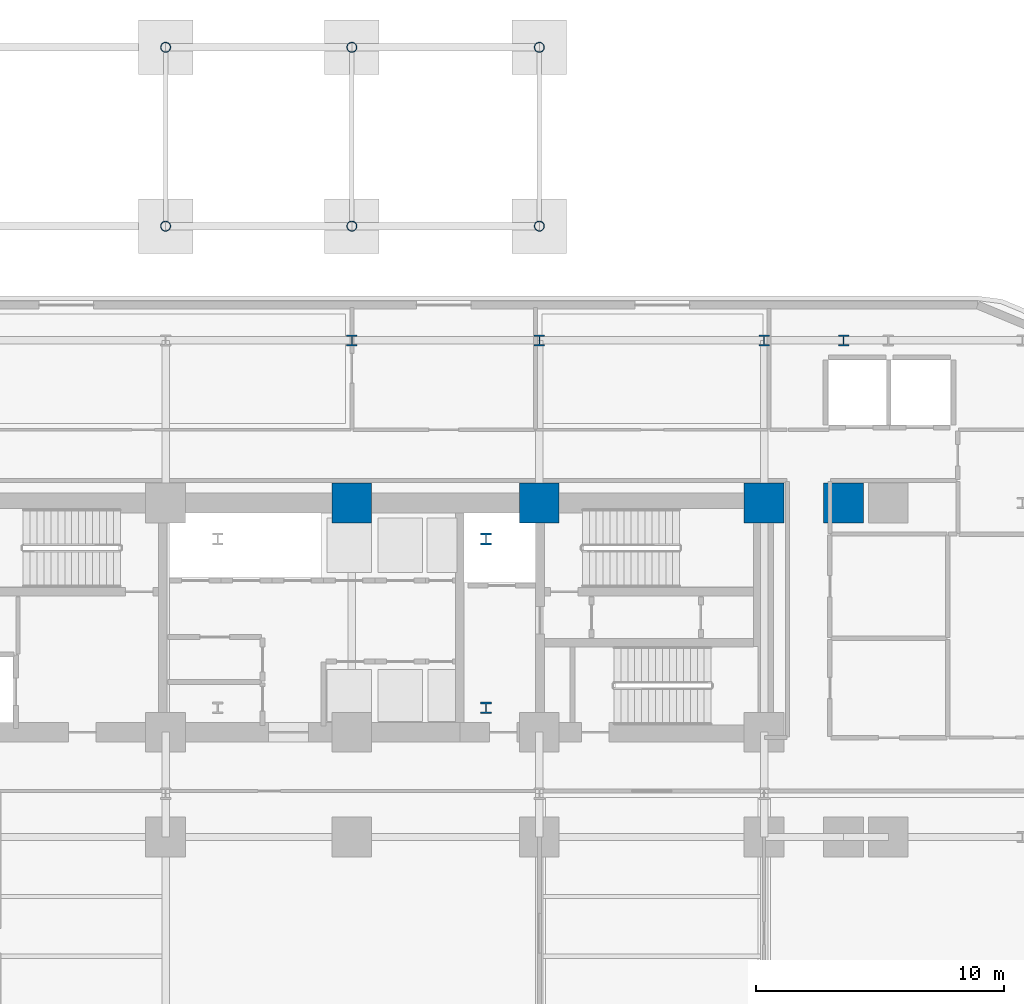
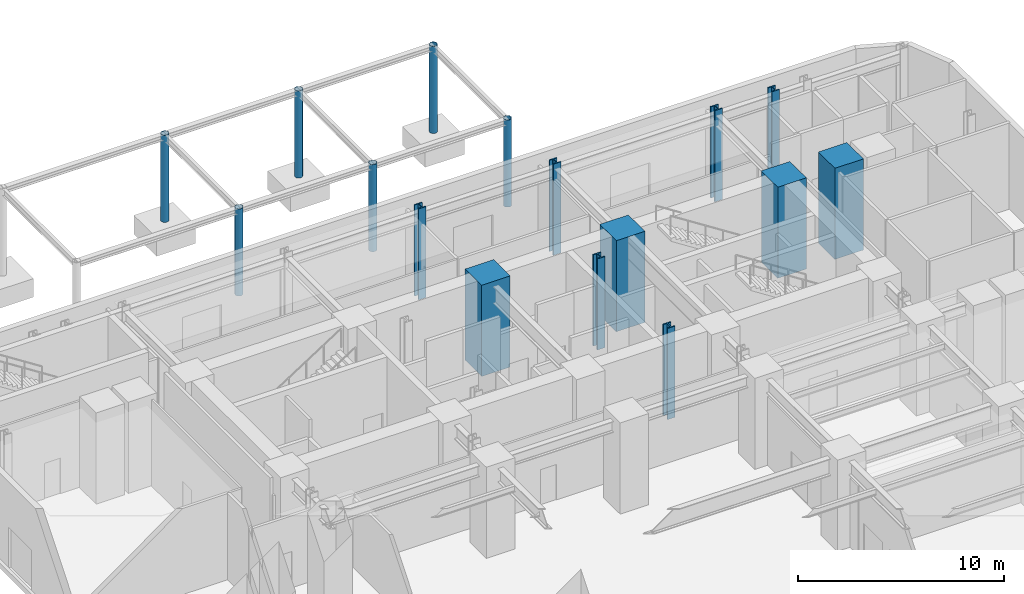
# One storey, part 5 of 21: 16 columns.
"""IFC4 building model written with IfcOpenShell, lengths in metres."""

from ifc_helpers import new_model, si_unit, direction, frame, origin, origin_2d, place, context, subcontext, project, spatial, rectangle, hollow_circle, i_section, extrude, material, material_profile, profile_set, type_object, element, save


model = new_model("IFC4")

# Units and contexts
model_context = context("Model", 3, precision=1e-05, world=origin(), true_north=direction((0.0, 1.0)))
body_context = subcontext(model_context, "Body", "Model", "MODEL_VIEW")
ifc_project = project(units=[si_unit("LENGTHUNIT", "METRE"), si_unit("AREAUNIT", "SQUARE_METRE"), si_unit("VOLUMEUNIT", "CUBIC_METRE"), si_unit("PLANEANGLEUNIT", "RADIAN"), si_unit("MASSUNIT", "GRAM", prefix="KILO")], contexts=[model_context])

# Site, building, storey
site_placement = place(None, origin())
site = spatial("IfcSite", under=ifc_project, at=site_placement, CompositionType="ELEMENT")
building_placement = place(site_placement, origin())
building = spatial("IfcBuilding", under=site, at=building_placement, Name="Zarnavel Station Tower", CompositionType="ELEMENT")
storey_placement = place(building_placement, origin())
storey = spatial("IfcBuildingStorey", under=building, at=storey_placement, Name="L01", CompositionType="ELEMENT", Elevation=0.0)

# Columns
ifc_material_1 = material(Name="Steel S355J2", Category="steel")
ifc_material_profile_1 = material_profile(ifc_material_1, hollow_circle(Radius=0.203125, WallThickness=0.01611328125, at=origin_2d()), Name="CHS406.4x16")
ifc_profile_set_1 = profile_set([ifc_material_profile_1], Name="Steel S355J2")
column_type_1 = type_object("IfcColumnType", Name="EC_CANOPY", PredefinedType="COLUMN", material=ifc_profile_set_1)
for number, where, z_axis, x_axis, name in (
    (1, (21.300048828125, 48.199951171875, 0.0), (0.0, 0.0, 1.0), (1.0, 0.0, 0.0), "L01 North Porte-Cochere Column 1-02"),
    (2, (28.800048828125, 48.199951171875, 0.0), (0.0, 0.0, 1.0), (1.0, 0.0, 0.0), "L01 North Porte-Cochere Column 1-03"),
    (3, (36.35009765625, 48.199951171875, 0.0), (0.0, 0.0, 1.0), (1.0, 0.0, 0.0), "L01 North Porte-Cochere Column 1-04"),
    (4, (21.300048828125, 55.39990234375, 0.0), (0.0, 0.0, 1.0), (1.0, 0.0, 0.0), "L01 North Porte-Cochere Column 2-02"),
    (5, (28.800048828125, 55.39990234375, 0.0), (0.0, 0.0, 1.0), (1.0, 0.0, 0.0), "L01 North Porte-Cochere Column 2-03"),
    (6, (36.35009765625, 55.39990234375, 0.0), (0.0, 0.0, 1.0), (1.0, 0.0, 0.0), "L01 North Porte-Cochere Column 2-04"),
):
    element("IfcColumn", number, at=place(storey_placement, frame(where, z_axis=z_axis, x_axis=x_axis)), inside=storey, type_object=column_type_1, Name=name, PredefinedType="COLUMN", context=body_context, shape_type="SweptSolid", body=[
        extrude(hollow_circle(Radius=0.203125, WallThickness=0.01611328125, at=origin_2d()), origin(), (0.0, 0.0, 1.0), 5.159912109375),
    ])
ifc_material_2 = material(Name="Steel S460M", Category="steel")
ifc_material_profile_2 = material_profile(ifc_material_2, i_section(OverallWidth=0.424072265625, OverallDepth=0.449951171875, WebThickness=0.041015625, FlangeThickness=0.06494140625, FilletRadius=0.014892578125, at=origin_2d()), Name="HD400x509")
ifc_profile_set_2 = profile_set([ifc_material_profile_2], Name="Steel S460M")
column_type_2 = type_object("IfcColumnType", Name="EC_HD509", PredefinedType="COLUMN", material=ifc_profile_set_2)
for number, where, z_axis, x_axis, name in (
    (7, (28.800048828125, 43.60009765625, 0.0), (0.0, 0.0, 1.0), (1.0, 0.0, 0.0), "L01 Perimeter Column 6-5"),
    (8, (36.35009765625, 43.60009765625, 0.0), (0.0, 0.0, 1.0), (1.0, 0.0, 0.0), "L01 Perimeter Column 7-5"),
    (9, (45.39990234375, 43.60009765625, 0.0), (0.0, 0.0, 1.0), (1.0, 0.0, 0.0), "L01 Perimeter Column 8-5"),
    (10, (48.60009765625, 43.60009765625, 0.0), (0.0, 0.0, 1.0), (1.0, 0.0, 0.0), "L01 Perimeter Column 9-5"),
):
    element("IfcColumn", number, at=place(storey_placement, frame(where, z_axis=z_axis, x_axis=x_axis)), inside=storey, type_object=column_type_2, Name=name, PredefinedType="COLUMN", context=body_context, shape_type="SweptSolid", body=[
        extrude(i_section(OverallWidth=0.424072265625, OverallDepth=0.449951171875, WebThickness=0.041015625, FlangeThickness=0.06494140625, FilletRadius=0.014892578125, at=origin_2d()), origin(), (0.0, 0.0, 1.0), 5.39990234375),
    ])
ifc_material_3 = material(Name="Steel S460M", Category="steel")
ifc_material_profile_3 = material_profile(ifc_material_3, i_section(OverallWidth=0.427978515625, OverallDepth=0.465087890625, WebThickness=0.044921875, FlangeThickness=0.072998046875, FilletRadius=0.014892578125, at=origin_2d()), Name="HD400x592")
ifc_profile_set_3 = profile_set([ifc_material_profile_3], Name="Steel S460M")
column_type_3 = type_object("IfcColumnType", Name="IC_HD592", PredefinedType="COLUMN", material=ifc_profile_set_3)
for number, where, z_axis, x_axis, name in (
    (11, (34.199951171875, 28.800048828125, 0.0), (0.0, 0.0, 1.0), (1.0, 0.0, 0.0), "L01 Mast Spine Column 2"),
    (12, (34.199951171875, 35.60009765625, 0.0), (0.0, 0.0, 1.0), (1.0, 0.0, 0.0), "L01 Mast Spine Column 3"),
):
    element("IfcColumn", number, at=place(storey_placement, frame(where, z_axis=z_axis, x_axis=x_axis)), inside=storey, type_object=column_type_3, Name=name, PredefinedType="COLUMN", context=body_context, shape_type="SweptSolid", body=[
        extrude(i_section(OverallWidth=0.427978515625, OverallDepth=0.465087890625, WebThickness=0.044921875, FlangeThickness=0.072998046875, FilletRadius=0.014892578125, at=origin_2d()), origin(), (0.0, 0.0, 1.0), 5.39990234375),
    ])
ifc_material_4 = material(Name="Concrete C60/75", Category="concrete")
ifc_material_profile_4 = material_profile(ifc_material_4, rectangle(XDim=1.60009765625, YDim=1.60009765625, at=origin_2d()), Name="RC1600x1600")
ifc_profile_set_4 = profile_set([ifc_material_profile_4], Name="Concrete C60/75")
column_type_4 = type_object("IfcColumnType", Name="IC_RC1600", PredefinedType="COLUMN", material=ifc_profile_set_4)
for number, where, z_axis, x_axis, name in (
    (13, (28.800048828125, 37.050048828125, 0.0), (0.0, 0.0, 1.0), (1.0, 0.0, 0.0), "L01 Core Spine Column 3-2"),
    (14, (36.35009765625, 37.050048828125, 0.0), (0.0, 0.0, 1.0), (1.0, 0.0, 0.0), "L01 Core Spine Column 4-2"),
    (15, (45.39990234375, 37.050048828125, 0.0), (0.0, 0.0, 1.0), (1.0, 0.0, 0.0), "L01 Core Spine Column 5-2"),
    (16, (48.60009765625, 37.050048828125, 0.0), (0.0, 0.0, 1.0), (1.0, 0.0, 0.0), "L01 Podium Column 9-4"),
):
    element("IfcColumn", number, at=place(storey_placement, frame(where, z_axis=z_axis, x_axis=x_axis)), inside=storey, type_object=column_type_4, Name=name, PredefinedType="COLUMN", context=body_context, shape_type="SweptSolid", body=[
        extrude(rectangle(XDim=1.60009765625, YDim=1.60009765625, at=origin_2d()), origin(), (0.0, 0.0, 1.0), 5.39990234375),
    ])

save(model, "model.ifc")
